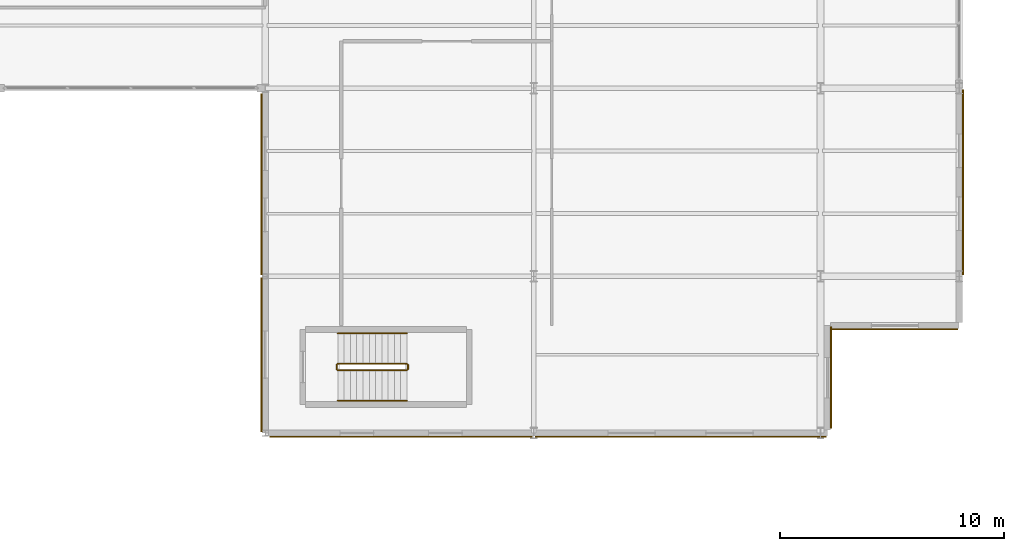
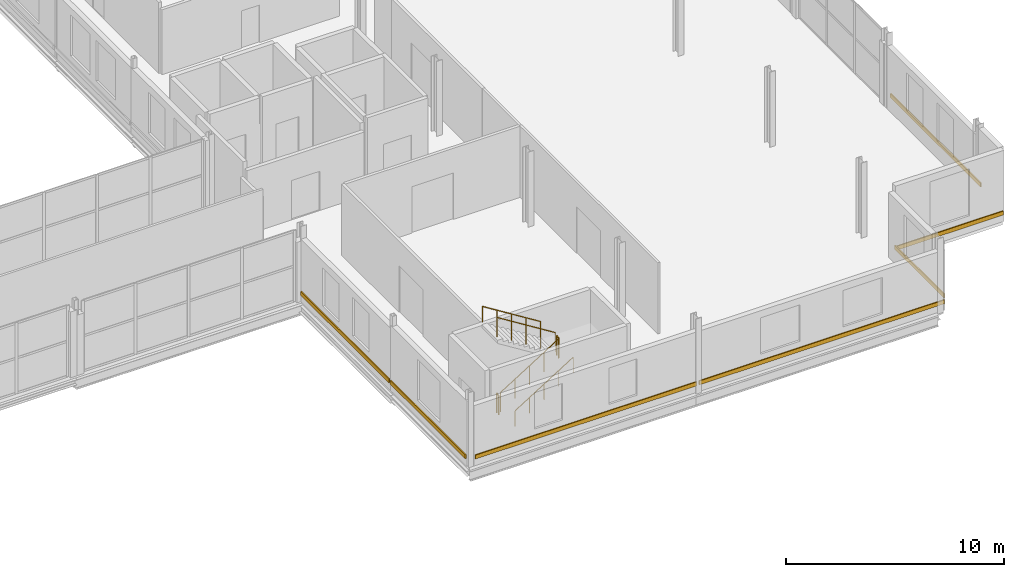
# One storey, part 98 of 101: 7 coverings, 6 railings.
"""IFC4 building model written with IfcOpenShell, lengths in metres."""

from ifc_helpers import new_model, si_unit, direction, frame, origin, origin_2d, place, context, subcontext, project, spatial, rectangle, circle, extrude, material, layer, layer_set, type_object, element, save


model = new_model("IFC4")

# Units and contexts
model_context = context("Model", 3, precision=1e-05, world=origin(), true_north=direction((0.0, 1.0)))
body_context = subcontext(model_context, "Body", "Model", "MODEL_VIEW")
ifc_project = project(units=[si_unit("LENGTHUNIT", "METRE"), si_unit("AREAUNIT", "SQUARE_METRE"), si_unit("VOLUMEUNIT", "CUBIC_METRE"), si_unit("PLANEANGLEUNIT", "RADIAN"), si_unit("MASSUNIT", "GRAM", prefix="KILO")], contexts=[model_context])

# Site, building, storey
site_placement = place(None, origin())
site = spatial("IfcSite", under=ifc_project, at=site_placement, CompositionType="ELEMENT")
building_placement = place(site_placement, origin())
building = spatial("IfcBuilding", under=site, at=building_placement, Name="Vekula Escarpment Museum", CompositionType="ELEMENT")
storey_placement = place(building_placement, frame((0.0, 0.0, 18.0)))
storey = spatial("IfcBuildingStorey", under=building, at=storey_placement, Name="L04", CompositionType="ELEMENT", Elevation=18.0)

# Coverings
ifc_material_1 = material(Name="Polychrome limestone almasik string-course band", Category="masonry")
ifc_layer = layer(ifc_material_1, 0.06005859375)
ifc_layer_set = layer_set([ifc_layer], Name="Polychrome limestone almasik string-course band")
covering_type = type_object("IfcCoveringType", Name="COV-ALM-BAND", PredefinedType="CLADDING", material=ifc_layer_set)
covering_1_placement = place(storey_placement, frame((166.833984375, 63.71044921875, 0.41015625), z_axis=(0.0, 0.0, 1.0), x_axis=(0.0, 1.0, 0.0)))
element("IfcCovering", 1, at=covering_1_placement, inside=storey, type_object=covering_type, Name="Almasik Stone String Course L04-0582", PredefinedType="CLADDING", context=body_context, shape_type="SweptSolid", body=[
    extrude(rectangle(XDim=8.10107421875, YDim=0.06005859375, at=origin_2d()), origin(), (0.0, 0.0, 1.0), 0.219970703125),
])
covering_2_placement = place(storey_placement, frame((166.833984375, 56.10009765625, 0.41015625), z_axis=(0.0, 0.0, 1.0), x_axis=(0.0, 1.0, 0.0)))
element("IfcCovering", 2, at=covering_2_placement, inside=storey, type_object=covering_type, Name="Almasik Stone String Course L04-0583", PredefinedType="CLADDING", context=body_context, shape_type="SweptSolid", body=[
    extrude(rectangle(XDim=6.8798828125, YDim=0.06005859375, at=origin_2d()), origin(), (0.0, 0.0, 1.0), 0.219970703125),
])
covering_3_placement = place(storey_placement, frame((173.072021484375, 52.43408203125, 0.41015625), z_axis=(0.0, 0.0, 1.0), x_axis=(1.0, 0.0, 0.0)))
element("IfcCovering", 3, at=covering_3_placement, inside=storey, type_object=covering_type, Name="Almasik Stone String Course L04-0584", PredefinedType="CLADDING", context=body_context, shape_type="SweptSolid", body=[
    extrude(rectangle(XDim=11.736083984375, YDim=0.06005859375, at=origin_2d()), origin(), (0.0, 0.0, 1.0), 0.219970703125),
])
covering_4_placement = place(storey_placement, frame((185.554931640625, 52.43408203125, 0.41015625), z_axis=(0.0, 0.0, 1.0), x_axis=(1.0, 0.0, 0.0)))
element("IfcCovering", 4, at=covering_4_placement, inside=storey, type_object=covering_type, Name="Almasik Stone String Course L04-0585", PredefinedType="CLADDING", context=body_context, shape_type="SweptSolid", body=[
    extrude(rectangle(XDim=12.989990234375, YDim=0.06005859375, at=origin_2d()), origin(), (0.0, 0.0, 1.0), 0.219970703125),
])
covering_5_placement = place(storey_placement, frame((192.27587890625, 55.072021484375, 0.41015625), z_axis=(0.0, 0.0, 1.0), x_axis=(0.0, 1.0, 0.0)))
element("IfcCovering", 5, at=covering_5_placement, inside=storey, type_object=covering_type, Name="Almasik Stone String Course L04-0586", PredefinedType="CLADDING", context=body_context, shape_type="SweptSolid", body=[
    extrude(rectangle(XDim=4.535888671875, YDim=0.06005859375, at=origin_2d()), origin(), (0.0, 0.0, 1.0), 0.219970703125),
])
covering_6_placement = place(storey_placement, frame((195.126953125, 57.23388671875, 0.41015625), z_axis=(0.0, 0.0, 1.0), x_axis=(1.0, 0.0, 0.0)))
element("IfcCovering", 6, at=covering_6_placement, inside=storey, type_object=covering_type, Name="Almasik Stone String Course L04-0587", PredefinedType="CLADDING", context=body_context, shape_type="SweptSolid", body=[
    extrude(rectangle(XDim=5.6259765625, YDim=0.06005859375, at=origin_2d()), origin(), (0.0, 0.0, 1.0), 0.219970703125),
])
covering_7_placement = place(storey_placement, frame((198.166015625, 63.800048828125, 0.41015625), z_axis=(0.0, 0.0, 1.0), x_axis=(0.0, 1.0, 0.0)))
element("IfcCovering", 7, at=covering_7_placement, inside=storey, type_object=covering_type, Name="Almasik Stone String Course L04-0588", PredefinedType="CLADDING", context=body_context, shape_type="SweptSolid", body=[
    extrude(rectangle(XDim=8.280029296875, YDim=0.06005859375, at=origin_2d()), origin(), (0.0, 0.0, 1.0), 0.219970703125),
])

# Railings
ifc_material_2 = material(Name="Painted Steel S355 stair guard", Category="steel")
railing_type_1 = type_object("IfcRailingType", Name="RL-STAIR-GUARD", PredefinedType="GUARDRAIL", material=ifc_material_2)
railing_1_placement = place(storey_placement, frame((170.25, 55.39990234375, 0.175048828125)))
element("IfcRailing", 8, at=railing_1_placement, inside=storey, type_object=railing_type_1, Name="L04 ST-02 stair guard 1", PredefinedType="GUARDRAIL", context=body_context, shape_type="SweptSolid", body=[
    extrude(circle(Radius=0.02392578125, at=origin_2d()), frame((0.0, 0.0, 1.076171875), z_axis=(0.847998304005, 0.0, 0.529998940003), x_axis=(0.0, 1.0, 0.0)), (0.0, 0.0, 1.0), 3.632080078125),
    extrude(circle(Radius=0.02099609375, at=origin_2d()), origin(), (0.0, 0.0, 1.0), 1.052001953125),
    extrude(circle(Radius=0.02099609375, at=origin_2d()), frame((0.77001953125, 0.0, 0.481201171875)), (0.0, 0.0, 1.0), 1.052001953125),
    extrude(circle(Radius=0.02099609375, at=origin_2d()), frame((1.5400390625, 0.0, 0.96240234375)), (0.0, 0.0, 1.0), 1.052001953125),
    extrude(circle(Radius=0.02099609375, at=origin_2d()), frame((2.31005859375, 0.0, 1.44384765625)), (0.0, 0.0, 1.0), 1.052001953125),
    extrude(circle(Radius=0.02099609375, at=origin_2d()), frame((3.080078125, 0.0, 1.925048828125)), (0.0, 0.0, 1.0), 1.052001953125),
])
railing_2_placement = place(storey_placement, frame((173.3798828125, 55.449951171875, 2.10009765625)))
element("IfcRailing", 9, at=railing_2_placement, inside=storey, type_object=railing_type_1, Name="L04 ST-02 stair guard 2", PredefinedType="GUARDRAIL", context=body_context, shape_type="SweptSolid", body=[
    extrude(circle(Radius=0.02392578125, at=origin_2d()), frame((0.0, 0.0, 1.076171875), z_axis=(0.0, 1.0, 0.0), x_axis=(-1.0, 0.0, 0.0)), (0.0, 0.0, 1.0), 0.199951171875),
    extrude(circle(Radius=0.02099609375, at=origin_2d()), origin(), (0.0, 0.0, 1.0), 1.052001953125),
    extrude(circle(Radius=0.02099609375, at=origin_2d()), frame((0.0, 0.199951171875, 0.0)), (0.0, 0.0, 1.0), 1.052001953125),
])
railing_3_placement = place(storey_placement, frame((173.330078125, 55.699951171875, 2.27490234375)))
element("IfcRailing", 10, at=railing_3_placement, inside=storey, type_object=railing_type_1, Name="L04 ST-02 stair guard 3", PredefinedType="GUARDRAIL", context=body_context, shape_type="SweptSolid", body=[
    extrude(circle(Radius=0.02392578125, at=origin_2d()), frame((0.0, 0.0, 1.076171875), z_axis=(-0.847998304005, 0.0, 0.529998940003), x_axis=(0.0, -1.0, 0.0)), (0.0, 0.0, 1.0), 3.632080078125),
    extrude(circle(Radius=0.02099609375, at=origin_2d()), origin(), (0.0, 0.0, 1.0), 1.052001953125),
    extrude(circle(Radius=0.02099609375, at=origin_2d()), frame((-0.77001953125, 0.0, 0.481201171875)), (0.0, 0.0, 1.0), 1.052001953125),
    extrude(circle(Radius=0.02099609375, at=origin_2d()), frame((-1.5400390625, 0.0, 0.96240234375)), (0.0, 0.0, 1.0), 1.052001953125),
    extrude(circle(Radius=0.02099609375, at=origin_2d()), frame((-2.31005859375, 0.0, 1.44384765625)), (0.0, 0.0, 1.0), 1.052001953125),
    extrude(circle(Radius=0.02099609375, at=origin_2d()), frame((-3.080078125, 0.0, 1.925048828125)), (0.0, 0.0, 1.0), 1.052001953125),
])
railing_4_placement = place(storey_placement, frame((170.199951171875, 55.449951171875, 0.0)))
element("IfcRailing", 11, at=railing_4_placement, inside=storey, type_object=railing_type_1, Name="L04 ST-02 stair guard 4", PredefinedType="GUARDRAIL", context=body_context, shape_type="SweptSolid", body=[
    extrude(circle(Radius=0.02392578125, at=origin_2d()), frame((0.0, 0.0, 1.076171875), z_axis=(0.0, 1.0, 0.0), x_axis=(-1.0, 0.0, 0.0)), (0.0, 0.0, 1.0), 0.199951171875),
    extrude(circle(Radius=0.02099609375, at=origin_2d()), origin(), (0.0, 0.0, 1.0), 1.052001953125),
    extrude(circle(Radius=0.02099609375, at=origin_2d()), frame((0.0, 0.199951171875, 0.0)), (0.0, 0.0, 1.0), 1.052001953125),
])
ifc_material_3 = material(Name="Brushed stainless steel handrail", Category="steel")
railing_type_2 = type_object("IfcRailingType", Name="RL-STAIR-HAND", PredefinedType="HANDRAIL", material=ifc_material_3)
railing_5_placement = place(storey_placement, frame((170.25, 54.050048828125, 0.175048828125)))
element("IfcRailing", 12, at=railing_5_placement, inside=storey, type_object=railing_type_2, Name="L04 ST-02 stair handrail 1", PredefinedType="HANDRAIL", context=body_context, shape_type="SweptSolid", body=[
    extrude(circle(Radius=0.02392578125, at=origin_2d()), frame((0.0, 0.0, 0.8759765625), z_axis=(0.847998304005, 0.0, 0.529998940003), x_axis=(0.0, 1.0, 0.0)), (0.0, 0.0, 1.0), 3.632080078125),
    extrude(circle(Radius=0.02099609375, at=origin_2d()), origin(), (0.0, 0.0, 1.0), 0.851806640625),
    extrude(circle(Radius=0.02099609375, at=origin_2d()), frame((0.77001953125, 0.0, 0.481201171875)), (0.0, 0.0, 1.0), 0.851806640625),
    extrude(circle(Radius=0.02099609375, at=origin_2d()), frame((1.5400390625, 0.0, 0.96240234375)), (0.0, 0.0, 1.0), 0.851806640625),
    extrude(circle(Radius=0.02099609375, at=origin_2d()), frame((2.31005859375, 0.0, 1.44384765625)), (0.0, 0.0, 1.0), 0.851806640625),
    extrude(circle(Radius=0.02099609375, at=origin_2d()), frame((3.080078125, 0.0, 1.925048828125)), (0.0, 0.0, 1.0), 0.851806640625),
])
railing_6_placement = place(storey_placement, frame((173.330078125, 57.050048828125, 2.27490234375)))
element("IfcRailing", 13, at=railing_6_placement, inside=storey, type_object=railing_type_2, Name="L04 ST-02 stair handrail 2", PredefinedType="HANDRAIL", context=body_context, shape_type="SweptSolid", body=[
    extrude(circle(Radius=0.02392578125, at=origin_2d()), frame((0.0, 0.0, 0.8759765625), z_axis=(-0.847998304005, 0.0, 0.529998940003), x_axis=(0.0, -1.0, 0.0)), (0.0, 0.0, 1.0), 3.632080078125),
    extrude(circle(Radius=0.02099609375, at=origin_2d()), origin(), (0.0, 0.0, 1.0), 0.851806640625),
    extrude(circle(Radius=0.02099609375, at=origin_2d()), frame((-0.77001953125, 0.0, 0.481201171875)), (0.0, 0.0, 1.0), 0.851806640625),
    extrude(circle(Radius=0.02099609375, at=origin_2d()), frame((-1.5400390625, 0.0, 0.96240234375)), (0.0, 0.0, 1.0), 0.851806640625),
    extrude(circle(Radius=0.02099609375, at=origin_2d()), frame((-2.31005859375, 0.0, 1.44384765625)), (0.0, 0.0, 1.0), 0.851806640625),
    extrude(circle(Radius=0.02099609375, at=origin_2d()), frame((-3.080078125, 0.0, 1.925048828125)), (0.0, 0.0, 1.0), 0.851806640625),
])

save(model, "model.ifc")
